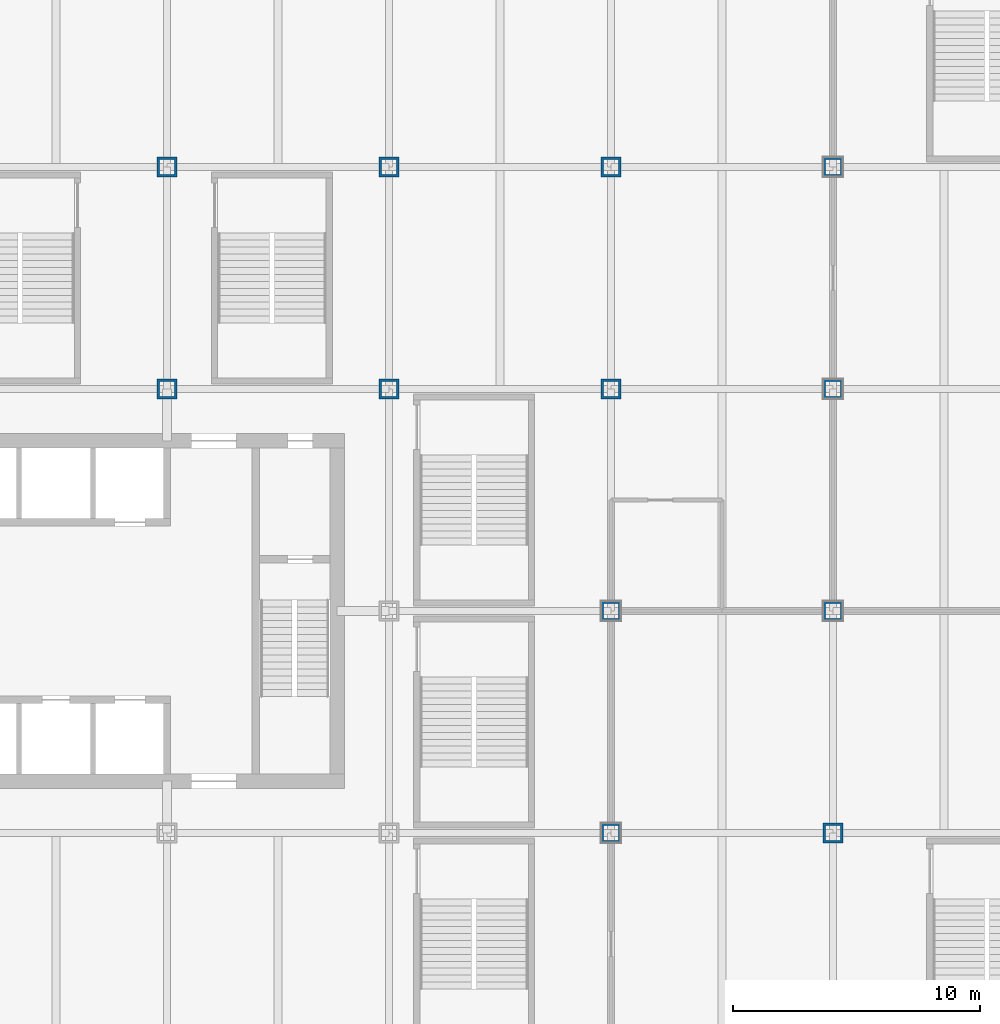
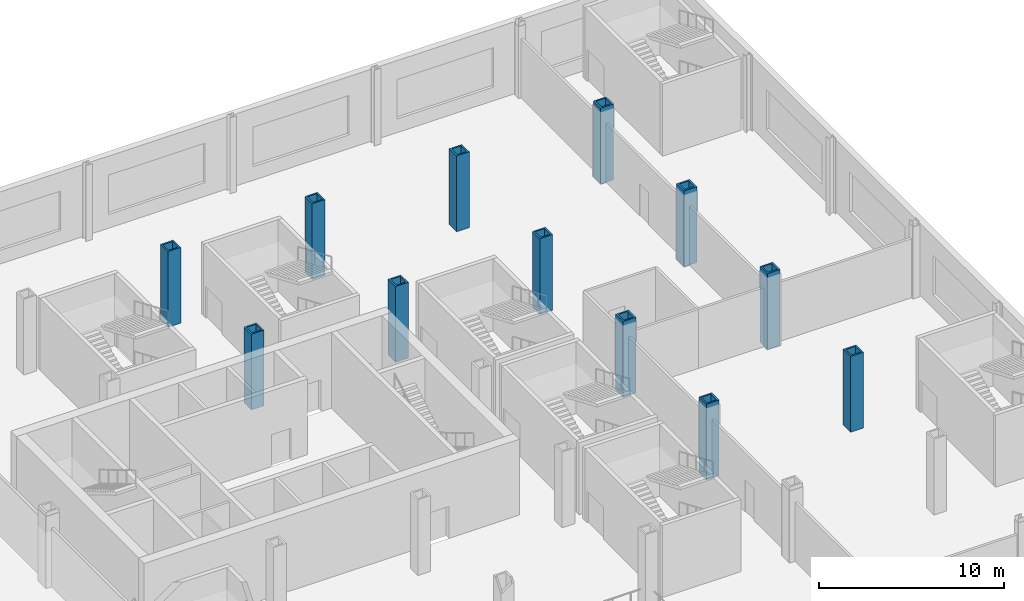
# One storey, part 4 of 28: 12 columns.
"""IFC4 building model written with IfcOpenShell, lengths in metres."""

from ifc_helpers import new_model, si_unit, direction, frame, origin, origin_2d, place, context, subcontext, project, spatial, hollow_rectangle, extrude, material, material_profile, profile_set, type_object, element, save


model = new_model("IFC4")

# Units and contexts
model_context = context("Model", 3, precision=1e-05, world=origin(), true_north=direction((0.0, 1.0)))
body_context = subcontext(model_context, "Body", "Model", "MODEL_VIEW")
ifc_project = project(units=[si_unit("LENGTHUNIT", "METRE"), si_unit("AREAUNIT", "SQUARE_METRE"), si_unit("VOLUMEUNIT", "CUBIC_METRE"), si_unit("PLANEANGLEUNIT", "RADIAN"), si_unit("MASSUNIT", "GRAM", prefix="KILO")], contexts=[model_context])

# Site, building, storey
site_placement = place(None, origin())
site = spatial("IfcSite", under=ifc_project, at=site_placement, CompositionType="ELEMENT")
building_placement = place(site_placement, origin())
building = spatial("IfcBuilding", under=site, at=building_placement, Name="Loomwork Tower", CompositionType="ELEMENT")
storey_placement = place(building_placement, frame((0.0, 0.0, 6.0)))
storey = spatial("IfcBuildingStorey", under=building, at=storey_placement, Name="L01", CompositionType="ELEMENT", Elevation=6.0)

# Columns
ifc_material_1 = material(Name="Steel ASTM A572 Grade 50 plate", Category="steel")
ifc_material_profile_1 = material_profile(ifc_material_1, hollow_rectangle(XDim=0.800048828125, YDim=0.800048828125, WallThickness=0.10009765625, at=origin_2d()), Name="BOX800x100")
ifc_profile_set_1 = profile_set([ifc_material_profile_1], Name="Steel ASTM A572 Grade 50 plate")
column_type_1 = type_object("IfcColumnType", Name="EXOSKELETON PIER BOX800x100", PredefinedType="COLUMN", material=ifc_profile_set_1)
for number, where, z_axis, x_axis, name in (
    (1, (27.0, 36.0, 0.0), (0.0, 0.0, 1.0), (1.0, 0.0, 0.0), "Exoskeleton Pier H/5 L01"),
    (2, (36.0, 36.0, 0.0), (0.0, 0.0, 1.0), (1.0, 0.0, 0.0), "Exoskeleton Pier H/6 L01"),
    (3, (45.0, 36.0, 0.0), (0.0, 0.0, 1.0), (1.0, 0.0, 0.0), "Exoskeleton Pier H/7 L01"),
    (4, (54.0, 9.0, 0.0), (0.0, 0.0, 1.0), (0.0, 1.0, 0.0), "Exoskeleton Pier E/8 L01"),
    (5, (54.0, 18.0, 0.0), (0.0, 0.0, 1.0), (0.0, 1.0, 0.0), "Exoskeleton Pier F/8 L01"),
    (6, (54.0, 27.0, 0.0), (0.0, 0.0, 1.0), (0.0, 1.0, 0.0), "Exoskeleton Pier G/8 L01"),
    (7, (54.0, 36.0, 0.0), (0.0, 0.0, 1.0), (1.0, 0.0, 0.0), "Exoskeleton Pier H/8 L01"),
):
    element("IfcColumn", number, at=place(storey_placement, frame(where, z_axis=z_axis, x_axis=x_axis)), inside=storey, type_object=column_type_1, Name=name, PredefinedType="COLUMN", context=body_context, shape_type="SweptSolid", body=[
        extrude(hollow_rectangle(XDim=0.800048828125, YDim=0.800048828125, WallThickness=0.10009765625, at=origin_2d()), origin(), (0.0, 0.0, 1.0), 5.0),
    ])
ifc_material_2 = material(Name="Steel ASTM A572 Grade 50 plate", Category="steel")
ifc_material_profile_2 = material_profile(ifc_material_2, hollow_rectangle(XDim=0.800048828125, YDim=0.800048828125, WallThickness=0.10009765625, at=origin_2d()), Name="BOX800x100")
ifc_profile_set_2 = profile_set([ifc_material_profile_2], Name="Steel ASTM A572 Grade 50 plate")
column_type_2 = type_object("IfcColumnType", Name="TOWER COLUMN BOX800x100", PredefinedType="COLUMN", material=ifc_profile_set_2)
for number, where, z_axis, x_axis, name in (
    (8, (27.0, 27.0, 0.0), (0.0, 0.0, 1.0), (1.0, 0.0, 0.0), "Tower Column G/5 L01"),
    (9, (36.0, 27.0, 0.0), (0.0, 0.0, 1.0), (1.0, 0.0, 0.0), "Tower Column G/6 L01"),
    (10, (45.0, 9.0, 0.0), (0.0, 0.0, 1.0), (0.0, 1.0, 0.0), "Tower Column E/7 L01"),
    (11, (45.0, 18.0, 0.0), (0.0, 0.0, 1.0), (0.0, 1.0, 0.0), "Tower Column F/7 L01"),
    (12, (45.0, 27.0, 0.0), (0.0, 0.0, 1.0), (0.0, 1.0, 0.0), "Tower Column G/7 L01"),
):
    element("IfcColumn", number, at=place(storey_placement, frame(where, z_axis=z_axis, x_axis=x_axis)), inside=storey, type_object=column_type_2, Name=name, PredefinedType="COLUMN", context=body_context, shape_type="SweptSolid", body=[
        extrude(hollow_rectangle(XDim=0.800048828125, YDim=0.800048828125, WallThickness=0.10009765625, at=origin_2d()), origin(), (0.0, 0.0, 1.0), 5.0),
    ])

save(model, "model.ifc")
